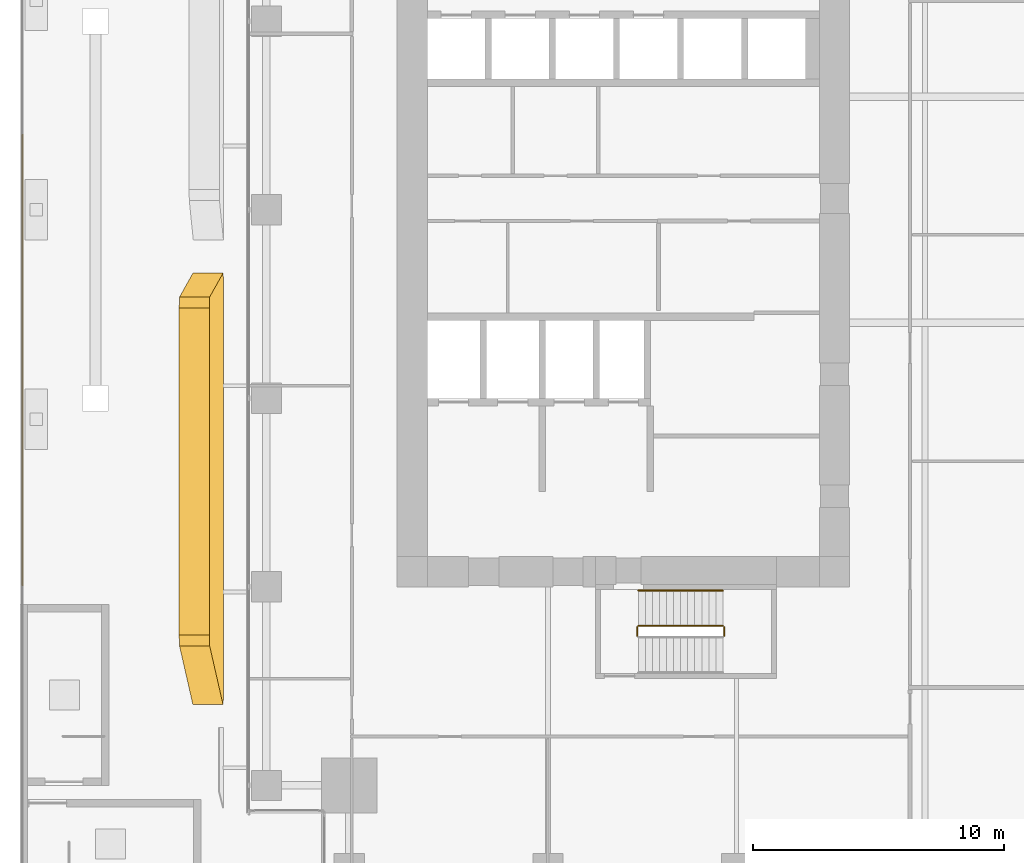
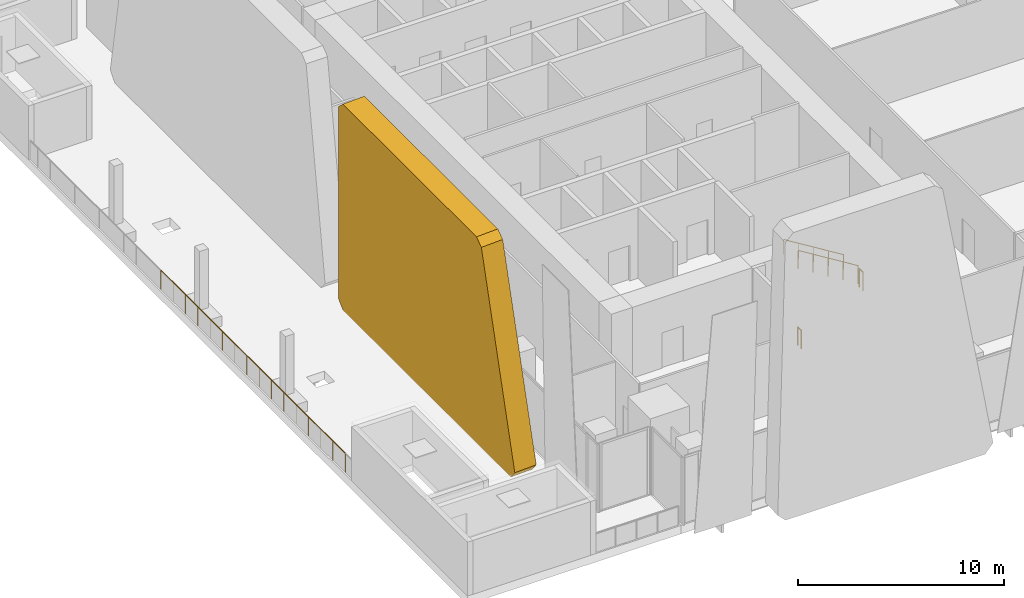
# One storey, part 42 of 46: 7 railings, 1 covering.
"""IFC4 building model written with IfcOpenShell, lengths in metres."""

from ifc_helpers import new_model, si_unit, direction, frame, origin, origin_2d, place, context, subcontext, project, spatial, polyline, circle, outline, extrude, source, transform, mapped, material, layer, layer_set, type_object, element, save


model = new_model("IFC4")

# Units and contexts
model_context = context("Model", 3, precision=1e-05, world=origin(), true_north=direction((0.0, 1.0)))
body_context = subcontext(model_context, "Body", "Model", "MODEL_VIEW")
ifc_project = project(units=[si_unit("LENGTHUNIT", "METRE"), si_unit("AREAUNIT", "SQUARE_METRE"), si_unit("VOLUMEUNIT", "CUBIC_METRE"), si_unit("PLANEANGLEUNIT", "RADIAN"), si_unit("MASSUNIT", "GRAM", prefix="KILO")], contexts=[model_context])

# Site, building, storey
site_placement = place(None, origin())
site = spatial("IfcSite", under=ifc_project, at=site_placement, CompositionType="ELEMENT")
building_placement = place(site_placement, origin())
building = spatial("IfcBuilding", under=site, at=building_placement, Name="Khomas Fold Tower", CompositionType="ELEMENT")
storey_placement = place(building_placement, frame((0.0, 0.0, 33.0)))
storey = spatial("IfcBuildingStorey", under=building, at=storey_placement, Name="L06", CompositionType="ELEMENT", Elevation=33.0)

# Covering
ifc_material_1 = material(Name="Natural stone cladding", Category="masonry")
ifc_layer = layer(ifc_material_1, 1.199951171875)
ifc_layer_set = layer_set([ifc_layer], Name="Natural stone cladding")
covering_type = type_object("IfcCoveringType", Name="SK-Karibib marble stone panel", PredefinedType="CLADDING", material=ifc_layer_set)
covering_placement = place(storey_placement, frame((-1.453369140625, 23.53076171875, 12.63525390625), z_axis=(0.999042300341, -1.314957e-06, 0.043754795487), x_axis=(0.043621553488, 0.078011487531, -0.995997674638)))
element("IfcCovering", 1, at=covering_placement, inside=storey, type_object=covering_type, Name="OUTER SKIN leaf L06 WS05-1", PredefinedType="CLADDING", context=body_context, shape_type="SweptSolid", body=[
    extrude(outline(polyline([(0.0, 0.0), (12.198974618826611, 1.1102230246251565e-16), (12.64806088361606, -0.4852431541490812), (11.378183947306905, -16.713711240309788), (10.80991750035919, -17.112489754141755), (-1.1325149833654031, -13.837120779657237), (-1.4625069584153072, -13.368053582421348), (-0.4489289937133868, -0.4149734982923554), (0.0, 0.0)])), origin(), (0.0, 0.0, -1.0), 1.199951171875),
])

# Railings
ifc_material_2 = material(Name="Powder-coated steel", Category="steel")
railing_type_1 = type_object("IfcRailingType", Name="Balcony guard", PredefinedType="GUARDRAIL", material=ifc_material_2)
shared_shape_1 = source(origin(), body_context, "Body", "SweptSolid", [
    extrude(circle(Radius=0.02490234375, at=origin_2d()), frame((0.0, 0.0, 1.125), z_axis=(0.0, 1.0, 0.0), x_axis=(-1.0, 0.0, 0.0)), (0.0, 0.0, 1.0), 5.977783203125),
    extrude(circle(Radius=0.02001953125, at=origin_2d()), origin(), (0.0, 0.0, 1.0), 1.099853515625),
    extrude(circle(Radius=0.02001953125, at=origin_2d()), frame((0.0, 1.195556640625, 0.0)), (0.0, 0.0, 1.0), 1.099853515625),
    extrude(circle(Radius=0.02001953125, at=origin_2d()), frame((0.0, 2.39111328125, 0.0)), (0.0, 0.0, 1.0), 1.099853515625),
    extrude(circle(Radius=0.02001953125, at=origin_2d()), frame((0.0, 3.586669921875, 0.0)), (0.0, 0.0, 1.0), 1.099853515625),
    extrude(circle(Radius=0.02001953125, at=origin_2d()), frame((0.0, 4.7822265625, 0.0)), (0.0, 0.0, 1.0), 1.099853515625),
    extrude(circle(Radius=0.02001953125, at=origin_2d()), frame((0.0, 5.977783203125, 0.0)), (0.0, 0.0, 1.0), 1.099853515625),
])
for number, where, name in (
    (2, (-8.89990234375, 12.0556640625, 0.0), "GUARD 201"),
    (3, (-8.89990234375, 18.033447265625, 0.0), "GUARD 201"),
):
    element("IfcRailing", number, at=place(storey_placement, frame(where)), inside=storey, type_object=railing_type_1, Name=name, PredefinedType="GUARDRAIL", context=body_context, shape_type="MappedRepresentation", body=[
        mapped(shared_shape_1, transform((0.0, 0.0, 0.0))),
    ])
shared_shape_2 = source(origin(), body_context, "Body", "SweptSolid", [
    extrude(circle(Radius=0.02490234375, at=origin_2d()), frame((0.0, 0.0, 1.125), z_axis=(0.0, 1.0, 0.0), x_axis=(-1.0, 0.0, 0.0)), (0.0, 0.0, 1.0), 5.9775390625),
    extrude(circle(Radius=0.02001953125, at=origin_2d()), origin(), (0.0, 0.0, 1.0), 1.099853515625),
    extrude(circle(Radius=0.02001953125, at=origin_2d()), frame((0.0, 1.195556640625, 0.0)), (0.0, 0.0, 1.0), 1.099853515625),
    extrude(circle(Radius=0.02001953125, at=origin_2d()), frame((0.0, 2.39111328125, 0.0)), (0.0, 0.0, 1.0), 1.099853515625),
    extrude(circle(Radius=0.02001953125, at=origin_2d()), frame((0.0, 3.58642578125, 0.0)), (0.0, 0.0, 1.0), 1.099853515625),
    extrude(circle(Radius=0.02001953125, at=origin_2d()), frame((0.0, 4.781982421875, 0.0)), (0.0, 0.0, 1.0), 1.099853515625),
    extrude(circle(Radius=0.02001953125, at=origin_2d()), frame((0.0, 5.9775390625, 0.0)), (0.0, 0.0, 1.0), 1.099853515625),
])
railing_1_placement = place(storey_placement, frame((-8.89990234375, 24.01123046875, 0.0)))
element("IfcRailing", 4, at=railing_1_placement, inside=storey, type_object=railing_type_1, Name="GUARD 201", PredefinedType="GUARDRAIL", context=body_context, shape_type="MappedRepresentation", body=[
    mapped(shared_shape_2, transform((0.0, 0.0, 0.0))),
])
ifc_material_3 = material(Name="Steel balustrade", Category="steel")
railing_type_2 = type_object("IfcRailingType", Name="Stair guard", PredefinedType="GUARDRAIL", material=ifc_material_3)
shared_shape_3 = source(origin(), body_context, "Body", "SweptSolid", [
    extrude(circle(Radius=0.02392578125, at=origin_2d()), frame((0.0, 0.0, 1.076171875), z_axis=(0.0, 1.0, 0.0), x_axis=(-1.0, 0.0, 0.0)), (0.0, 0.0, 1.0), 0.349853515625),
    extrude(circle(Radius=0.02099609375, at=origin_2d()), origin(), (0.0, 0.0, 1.0), 1.052001953125),
    extrude(circle(Radius=0.02099609375, at=origin_2d()), frame((0.0, 0.349853515625, 0.0)), (0.0, 0.0, 1.0), 1.052001953125),
])
for number, where, name in (
    (5, (19.010009765625, 10.050048828125, 2.25), "L06 ST2 stair guard 2"),
    (6, (15.550048828125, 10.050048828125, 0.0), "L06 ST2 stair guard 4"),
):
    element("IfcRailing", number, at=place(storey_placement, frame(where)), inside=storey, type_object=railing_type_2, Name=name, PredefinedType="GUARDRAIL", context=body_context, shape_type="MappedRepresentation", body=[
        mapped(shared_shape_3, transform((0.0, 0.0, 0.0))),
    ])
shared_shape_4 = source(origin(), body_context, "Body", "SweptSolid", [
    extrude(circle(Radius=0.02392578125, at=origin_2d()), frame((0.0, 0.0, 1.076171875), z_axis=(-0.850606129759, 0.0, 0.525803396734), x_axis=(0.0, -1.0, 0.0)), (0.0, 0.0, 1.0), 3.949951171875),
    extrude(circle(Radius=0.02099609375, at=origin_2d()), origin(), (0.0, 0.0, 1.0), 1.052001953125),
    extrude(circle(Radius=0.02099609375, at=origin_2d()), frame((-0.83984375, 0.0, 0.519287109375)), (0.0, 0.0, 1.0), 1.052001953125),
    extrude(circle(Radius=0.02099609375, at=origin_2d()), frame((-1.679931640625, 0.0, 1.03857421875)), (0.0, 0.0, 1.0), 1.052001953125),
    extrude(circle(Radius=0.02099609375, at=origin_2d()), frame((-2.52001953125, 0.0, 1.5576171875)), (0.0, 0.0, 1.0), 1.052001953125),
    extrude(circle(Radius=0.02099609375, at=origin_2d()), frame((-3.35986328125, 0.0, 2.076904296875)), (0.0, 0.0, 1.0), 1.052001953125),
])
railing_2_placement = place(storey_placement, frame((18.9599609375, 10.449951171875, 2.423095703125)))
element("IfcRailing", 7, at=railing_2_placement, inside=storey, type_object=railing_type_2, Name="L06 ST2 stair guard 3", PredefinedType="GUARDRAIL", context=body_context, shape_type="MappedRepresentation", body=[
    mapped(shared_shape_4, transform((0.0, 0.0, 0.0))),
])
ifc_material_4 = material(Name="Steel handrail", Category="steel")
railing_type_3 = type_object("IfcRailingType", Name="Stair handrail", PredefinedType="HANDRAIL", material=ifc_material_4)
shared_shape_5 = source(origin(), body_context, "Body", "SweptSolid", [
    extrude(circle(Radius=0.02392578125, at=origin_2d()), frame((0.0, 0.0, 0.8759765625), z_axis=(-0.850606129759, 0.0, 0.525803396734), x_axis=(0.0, -1.0, 0.0)), (0.0, 0.0, 1.0), 3.949951171875),
    extrude(circle(Radius=0.02099609375, at=origin_2d()), origin(), (0.0, 0.0, 1.0), 0.851806640625),
    extrude(circle(Radius=0.02099609375, at=origin_2d()), frame((-0.83984375, 0.0, 0.519287109375)), (0.0, 0.0, 1.0), 0.851806640625),
    extrude(circle(Radius=0.02099609375, at=origin_2d()), frame((-1.679931640625, 0.0, 1.03857421875)), (0.0, 0.0, 1.0), 0.851806640625),
    extrude(circle(Radius=0.02099609375, at=origin_2d()), frame((-2.52001953125, 0.0, 1.5576171875)), (0.0, 0.0, 1.0), 0.851806640625),
    extrude(circle(Radius=0.02099609375, at=origin_2d()), frame((-3.35986328125, 0.0, 2.076904296875)), (0.0, 0.0, 1.0), 0.851806640625),
])
railing_3_placement = place(storey_placement, frame((18.9599609375, 11.85009765625, 2.423095703125)))
element("IfcRailing", 8, at=railing_3_placement, inside=storey, type_object=railing_type_3, Name="L06 ST2 stair handrail 2", PredefinedType="HANDRAIL", context=body_context, shape_type="MappedRepresentation", body=[
    mapped(shared_shape_5, transform((0.0, 0.0, 0.0))),
])

save(model, "model.ifc")
